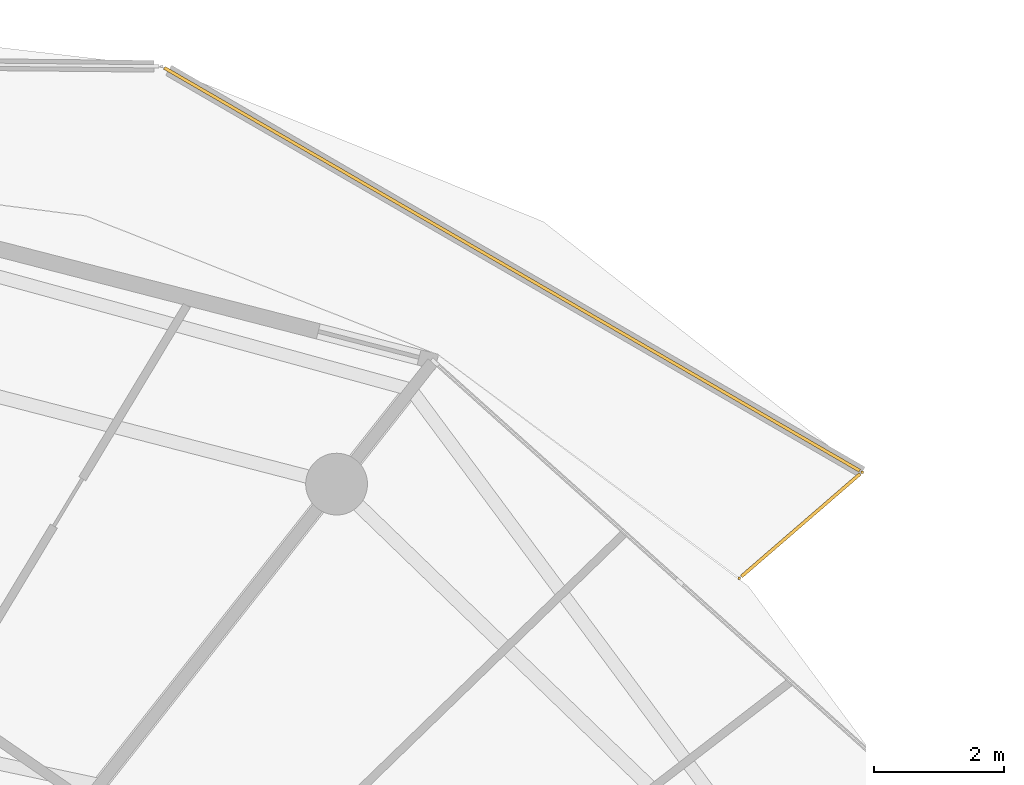
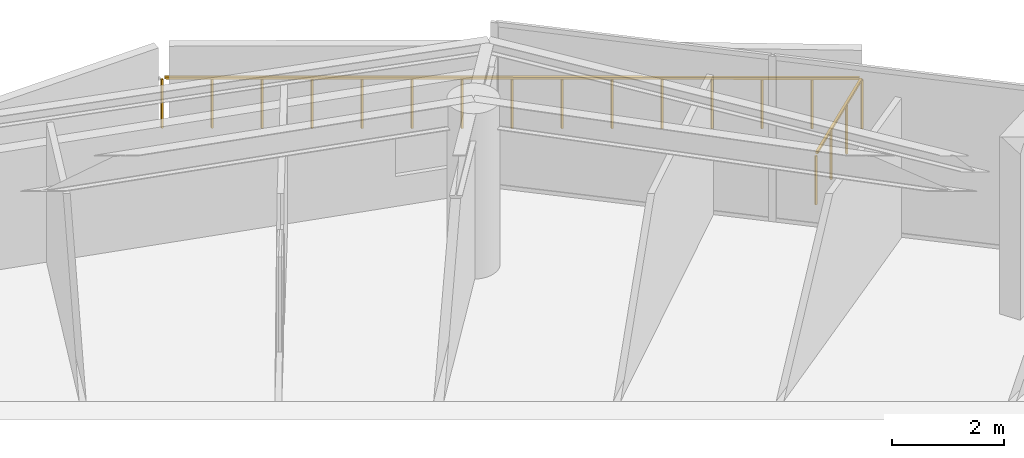
# One storey, part 30 of 30: 2 railings.
"""IFC4 building model written with IfcOpenShell, lengths in metres."""

from ifc_helpers import new_model, si_unit, direction, frame, origin, origin_2d, place, context, subcontext, project, spatial, rectangle, extrude, material, type_object, element, save


model = new_model("IFC4")

# Units and contexts
model_context = context("Model", 3, precision=1e-05, world=origin(), true_north=direction((0.0, 1.0)))
body_context = subcontext(model_context, "Body", "Model", "MODEL_VIEW")
ifc_project = project(units=[si_unit("LENGTHUNIT", "METRE"), si_unit("AREAUNIT", "SQUARE_METRE"), si_unit("VOLUMEUNIT", "CUBIC_METRE"), si_unit("PLANEANGLEUNIT", "RADIAN"), si_unit("MASSUNIT", "GRAM", prefix="KILO")], contexts=[model_context])

# Site, building, storey
site_placement = place(None, origin())
site = spatial("IfcSite", under=ifc_project, at=site_placement, CompositionType="ELEMENT")
building_placement = place(site_placement, origin())
building = spatial("IfcBuilding", under=site, at=building_placement, Name="Kazma Halo Residences", CompositionType="ELEMENT")
storey_placement = place(building_placement, frame((0.0, 0.0, 290.60009765625)))
storey = spatial("IfcBuildingStorey", under=building, at=storey_placement, Name="L73", CompositionType="ELEMENT", Elevation=290.60009765625)

# Railings
ifc_material = material(Name="Aluminium AW-6063 T6 Brushed Cap Rail", Category="aluminium")
railing_type = type_object("IfcRailingType", Name="RLG-BAL-CAP-1120", PredefinedType="BALUSTRADE", material=ifc_material)
railing_1_placement = place(storey_placement, frame((71.0400390625, 61.9228515625, 0.0)))
element("IfcRailing", 1, at=railing_1_placement, inside=storey, type_object=railing_type, Name="L73 NE wave balcony guard 1", PredefinedType="BALUSTRADE", context=body_context, shape_type="SweptSolid", body=[
    extrude(rectangle(XDim=0.050048828125, YDim=0.050048828125, at=origin_2d()), frame((0.0322265625, 0.02783203125, 1.09521484375), z_axis=(0.75642466345, 0.65408082721, 0.0), x_axis=(-0.65408082721, 0.75642466345, 0.0)), (0.0, 0.0, 1.0), 2.41015625),
    extrude(rectangle(XDim=0.0400390625, YDim=0.0400390625, at=origin_2d()), origin(), (0.0, 0.0, 1.0), 1.05810546875),
    extrude(rectangle(XDim=0.0400390625, YDim=0.0400390625, at=origin_2d()), frame((0.629150390625, 0.5439453125, 0.0)), (0.0, 0.0, 1.0), 1.05810546875),
    extrude(rectangle(XDim=0.0400390625, YDim=0.0400390625, at=origin_2d()), frame((1.25830078125, 1.088134765625, 0.0)), (0.0, 0.0, 1.0), 1.05810546875),
    extrude(rectangle(XDim=0.0400390625, YDim=0.0400390625, at=origin_2d()), frame((1.887451171875, 1.632080078125, 0.0)), (0.0, 0.0, 1.0), 1.05810546875),
])
railing_2_placement = place(storey_placement, frame((72.927490234375, 63.554931640625, 0.0)))
element("IfcRailing", 2, at=railing_2_placement, inside=storey, type_object=railing_type, Name="L73 NE wave balcony guard 2", PredefinedType="BALUSTRADE", context=body_context, shape_type="SweptSolid", body=[
    extrude(rectangle(XDim=0.050048828125, YDim=0.050048828125, at=origin_2d()), frame((-0.036865234375, 0.021240234375, 1.09521484375), z_axis=(-0.8652560804, 0.501330146042, 0.0), x_axis=(-0.501330146042, -0.8652560804, 0.0)), (0.0, 0.0, 1.0), 12.35791015625),
    extrude(rectangle(XDim=0.0400390625, YDim=0.0400390625, at=origin_2d()), origin(), (0.0, 0.0, 1.0), 1.05810546875),
    extrude(rectangle(XDim=0.0400390625, YDim=0.0400390625, at=origin_2d()), frame((-0.76904296875, 0.445556640625, 0.0)), (0.0, 0.0, 1.0), 1.05810546875),
    extrude(rectangle(XDim=0.0400390625, YDim=0.0400390625, at=origin_2d()), frame((-1.5380859375, 0.89111328125, 0.0)), (0.0, 0.0, 1.0), 1.05810546875),
    extrude(rectangle(XDim=0.0400390625, YDim=0.0400390625, at=origin_2d()), frame((-2.30712890625, 1.336669921875, 0.0)), (0.0, 0.0, 1.0), 1.05810546875),
    extrude(rectangle(XDim=0.0400390625, YDim=0.0400390625, at=origin_2d()), frame((-3.076171875, 1.7822265625, 0.0)), (0.0, 0.0, 1.0), 1.05810546875),
    extrude(rectangle(XDim=0.0400390625, YDim=0.0400390625, at=origin_2d()), frame((-3.84521484375, 2.227783203125, 0.0)), (0.0, 0.0, 1.0), 1.05810546875),
    extrude(rectangle(XDim=0.0400390625, YDim=0.0400390625, at=origin_2d()), frame((-4.6142578125, 2.67333984375, 0.0)), (0.0, 0.0, 1.0), 1.05810546875),
    extrude(rectangle(XDim=0.0400390625, YDim=0.0400390625, at=origin_2d()), frame((-5.38330078125, 3.119140625, 0.0)), (0.0, 0.0, 1.0), 1.05810546875),
    extrude(rectangle(XDim=0.0400390625, YDim=0.0400390625, at=origin_2d()), frame((-6.152099609375, 3.564697265625, 0.0)), (0.0, 0.0, 1.0), 1.05810546875),
    extrude(rectangle(XDim=0.0400390625, YDim=0.0400390625, at=origin_2d()), frame((-6.921142578125, 4.01025390625, 0.0)), (0.0, 0.0, 1.0), 1.05810546875),
    extrude(rectangle(XDim=0.0400390625, YDim=0.0400390625, at=origin_2d()), frame((-7.690185546875, 4.455810546875, 0.0)), (0.0, 0.0, 1.0), 1.05810546875),
    extrude(rectangle(XDim=0.0400390625, YDim=0.0400390625, at=origin_2d()), frame((-8.459228515625, 4.9013671875, 0.0)), (0.0, 0.0, 1.0), 1.05810546875),
    extrude(rectangle(XDim=0.0400390625, YDim=0.0400390625, at=origin_2d()), frame((-9.228271484375, 5.346923828125, 0.0)), (0.0, 0.0, 1.0), 1.05810546875),
    extrude(rectangle(XDim=0.0400390625, YDim=0.0400390625, at=origin_2d()), frame((-9.997314453125, 5.79248046875, 0.0)), (0.0, 0.0, 1.0), 1.05810546875),
    extrude(rectangle(XDim=0.0400390625, YDim=0.0400390625, at=origin_2d()), frame((-10.766357421875, 6.238037109375, 0.0)), (0.0, 0.0, 1.0), 1.05810546875),
])

save(model, "model.ifc")
